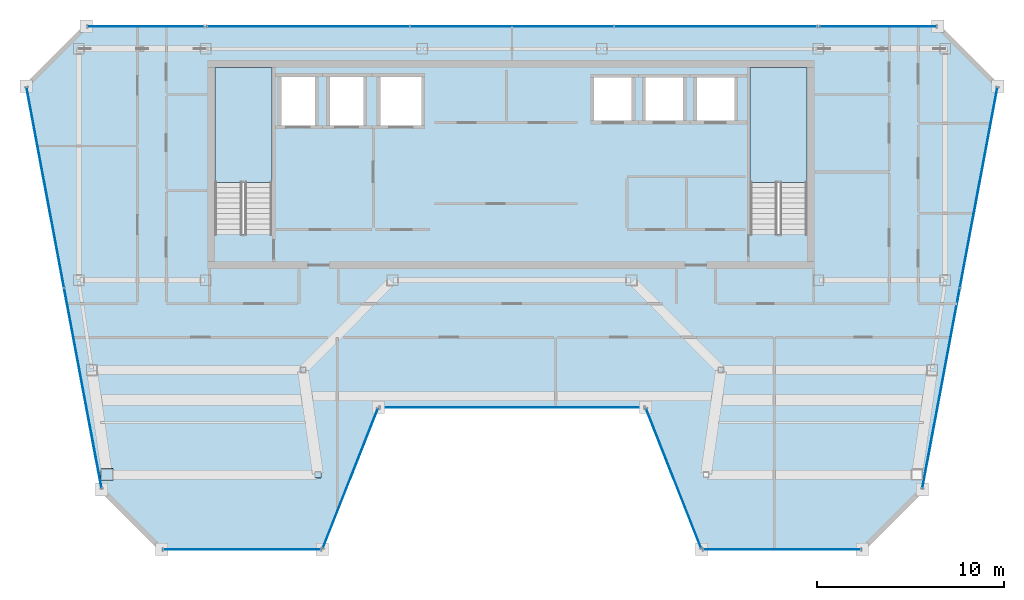
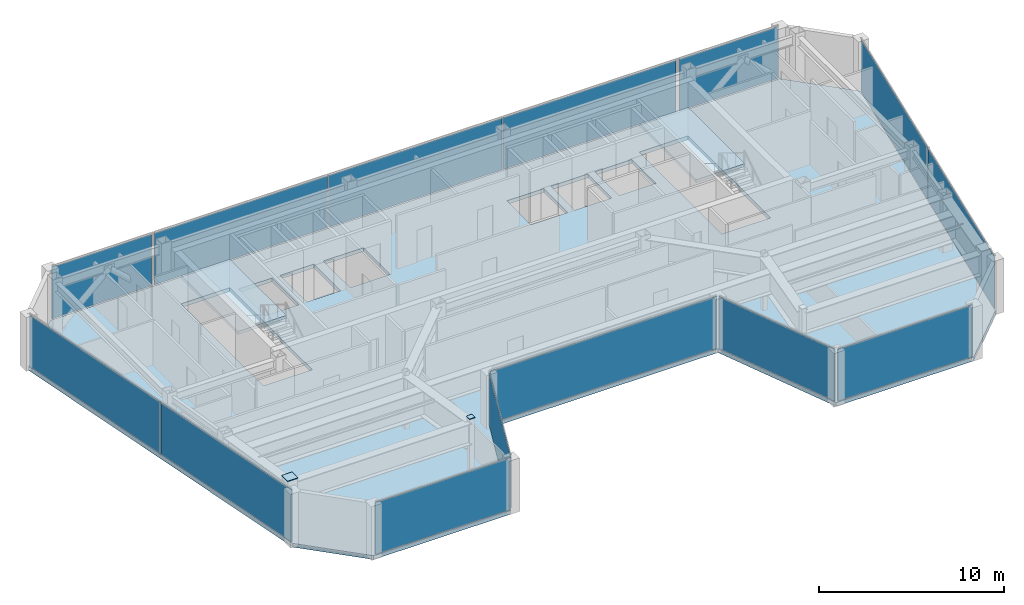
# One storey, part 18 of 23: 16 plates, 3 slabs, 12 elements without a shape of their own.
"""IFC4 building model written with IfcOpenShell, lengths in metres."""

import ifcopenshell
import ifcopenshell.guid

model = None  # the IFC model being written
_history = None  # IfcOwnerHistory: only IFC2X3 demands one
_inside = {}  # id of a spatial element -> (the spatial element, [elements in it])
_under = {}  # id of a project, library or spatial element -> (it, [spatial elements below it])
_declared = {}  # id of a project -> (the project, [libraries it declares])
_typed = {}  # id of a type object -> (the type object, [elements of that type])
_made_of = {}  # id of a material, layer set ... -> (it, [elements and type objects made of it])


def new_model(schema):
    """Start an empty IFC model of exactly this schema.

    Asked for "IFC4X3", IfcOpenShell would pick the latest addendum, in which some entities
    have other attributes; the version numbers below select the first issue.
    IFC2X3 requires an IfcOwnerHistory on every rooted entity: one is made here for all.
    """
    global model, _history
    if schema == "IFC4X3":
        model = ifcopenshell.file(schema_version=(4, 3, 0, 0))
    else:
        model = ifcopenshell.file(schema=schema)
    _inside.clear()
    _under.clear()
    _declared.clear()
    _typed.clear()
    _made_of.clear()
    _history = None
    if model.schema == "IFC2X3":
        org = make("IfcOrganization", Name="unknown")
        user = make(
            "IfcPersonAndOrganization",
            ThePerson=make("IfcPerson", FamilyName="unknown"),
            TheOrganization=org,
        )
        app = make(
            "IfcApplication",
            ApplicationDeveloper=org,
            Version="unknown",
            ApplicationFullName="unknown",
            ApplicationIdentifier="unknown",
        )
        _history = make(
            "IfcOwnerHistory",
            OwningUser=user,
            OwningApplication=app,
            ChangeAction="ADDED",
            CreationDate=0,
        )
    return model


def make(cls, **values):
    """One entity of the class cls with the attributes given. An attribute that is None is left unset."""
    return model.create_entity(
        cls, **{name: value for name, value in values.items() if value is not None}
    )


def rooted(cls, **values):
    """An entity with a GlobalId (a new one), such as an element, a storey or a relation."""
    return make(cls, GlobalId=ifcopenshell.guid.new(), OwnerHistory=_history, **values)


def si_unit(unit_type, name, prefix=None):
    """IfcSIUnit, for example si_unit("LENGTHUNIT", "METRE", prefix="MILLI")."""
    return make("IfcSIUnit", UnitType=unit_type, Prefix=prefix, Name=name)


def assignment(units):
    """IfcUnitAssignment: the units of a project."""
    return None if units is None else make("IfcUnitAssignment", Units=units)


def point(xyz):
    """IfcCartesianPoint."""
    return None if xyz is None else make("IfcCartesianPoint", Coordinates=xyz)


def direction(xyz):
    """IfcDirection."""
    return None if xyz is None else make("IfcDirection", DirectionRatios=xyz)


def frame(location, z_axis=None, x_axis=None):
    """IfcAxis2Placement3D, a coordinate frame: its origin and axes. An axis left out is left unset."""
    return make(
        "IfcAxis2Placement3D",
        Location=point(location),
        Axis=direction(z_axis),
        RefDirection=direction(x_axis),
    )


def frame_2d(location, x_axis=None):
    """IfcAxis2Placement2D, a coordinate frame in the plane: its origin and x axis."""
    return make(
        "IfcAxis2Placement2D", Location=point(location), RefDirection=direction(x_axis)
    )


def origin():
    """The frame at (0, 0, 0) with its axes left unset."""
    return frame((0.0, 0.0, 0.0))


def origin_2d():
    """The frame at (0, 0) in the plane with its x axis left unset."""
    return frame_2d((0.0, 0.0))


def place(relative_to, where):
    """IfcLocalPlacement: puts the frame where relative to a parent placement (None: the world)."""
    return make(
        "IfcLocalPlacement", PlacementRelTo=relative_to, RelativePlacement=where
    )


def context(
    kind, dimensions, precision=None, world=None, true_north=None, identifier=None
):
    """IfcGeometricRepresentationContext, for example the 3D "Model" context."""
    return make(
        "IfcGeometricRepresentationContext",
        ContextIdentifier=identifier,
        ContextType=kind,
        CoordinateSpaceDimension=dimensions,
        Precision=precision,
        WorldCoordinateSystem=world,
        TrueNorth=true_north,
    )


def subcontext(parent, identifier, kind, view, scale=None):
    """IfcGeometricRepresentationSubContext, for example "Body" below "Model"."""
    return make(
        "IfcGeometricRepresentationSubContext",
        ContextIdentifier=identifier,
        ContextType=kind,
        ParentContext=parent,
        TargetScale=scale,
        TargetView=view,
    )


def project(units=None, contexts=None):
    """IfcProject with its units and contexts."""
    return rooted(
        "IfcProject",
        Name="project",
        RepresentationContexts=contexts,
        UnitsInContext=assignment(units),
    )


def spatial(cls, under=None, at=None, **own):
    """A site, building, storey or space (cls), placed at a placement, below another one or the project."""
    s = rooted(cls, ObjectPlacement=at, **own)
    if under is not None:
        _under.setdefault(under.id(), (under, []))[1].append(s)
    return s


def polyline(points):
    """IfcPolyline through the points."""
    return make("IfcPolyline", Points=[point(p) for p in points])


def profile(cls, at=None, kind="AREA", **sizes):
    """A parametric profile (cls). Its sizes go by their IFC names, for example OverallWidth=200.0."""
    return make(cls, ProfileType=kind, Position=at, **sizes)


def rectangle(**sizes):
    """IfcRectangleProfileDef."""
    return profile("IfcRectangleProfileDef", **sizes)


def outline(outer, holes=None, kind="AREA"):
    """IfcArbitraryClosedProfileDef: a profile drawn as a closed curve; with holes, ...WithVoids."""
    if holes is None:
        return make("IfcArbitraryClosedProfileDef", ProfileType=kind, OuterCurve=outer)
    return make(
        "IfcArbitraryProfileDefWithVoids",
        ProfileType=kind,
        OuterCurve=outer,
        InnerCurves=holes,
    )


def extrude(swept, where, along, depth):
    """IfcExtrudedAreaSolid: the profile swept, set in the frame where, extruded along a direction by depth."""
    return make(
        "IfcExtrudedAreaSolid",
        SweptArea=swept,
        Position=where,
        ExtrudedDirection=direction(along),
        Depth=depth,
    )


def shape(context_of_items, identifier, shape_type, items):
    """IfcShapeRepresentation: the items that make up one representation, for example the "Body"."""
    return make(
        "IfcShapeRepresentation",
        ContextOfItems=context_of_items,
        RepresentationIdentifier=identifier,
        RepresentationType=shape_type,
        Items=items,
    )


def material(Name=None, Category=None):
    """IfcMaterial."""
    return make("IfcMaterial", Name=Name, Category=Category)


def layer(
    of_material, thickness, ventilated=None, Name=None, Category=None, Priority=None
):
    """IfcMaterialLayer: one layer of a wall or slab, of a material (None: an air gap)."""
    return make(
        "IfcMaterialLayer",
        Material=of_material,
        LayerThickness=thickness,
        IsVentilated=ventilated,
        Name=Name,
        Category=Category,
        Priority=Priority,
    )


def layer_set(layers, Name=None):
    """IfcMaterialLayerSet."""
    return make("IfcMaterialLayerSet", MaterialLayers=layers, LayerSetName=Name)


def made_of(thing, what):
    """Note that an element or type object is made of a material, layer set ...; save() writes the relation."""
    if what is not None:
        _made_of.setdefault(what.id(), (what, []))[1].append(thing)
    return thing


def type_object(cls, material=None, **own):
    """A type object (cls), such as IfcWallType, which elements share."""
    return made_of(rooted(cls, **own), material)


def element(
    cls,
    number,
    at=None,
    inside=None,
    cuts=None,
    type_object=None,
    material=None,
    context=None,
    identifier="Body",
    shape_type=None,
    held_by="IfcProductDefinitionShape",
    body=None,
    shapes=None,
    **own,
):
    """One element of the class cls, such as IfcWall. Its Tag is "e" and its number.

    at: its placement. inside: the storey or other place that contains it. cuts: it is an
    opening in that element (IfcRelVoidsElement). A single representation is given by context,
    identifier, shape_type and body (its items); several are given by shapes. held_by: the class
    of the entity that holds the representations. save() writes the other relations.
    """
    e = rooted(cls, Tag="e%d" % number, ObjectPlacement=at, **own)
    if body is not None:
        shapes = [shape(context, identifier, shape_type, body)]
    if shapes is not None:
        e.Representation = make(held_by, Representations=shapes)
    if inside is not None:
        _inside.setdefault(inside.id(), (inside, []))[1].append(e)
    if cuts is not None:
        rooted(
            "IfcRelVoidsElement", RelatingBuildingElement=cuts, RelatedOpeningElement=e
        )
    if type_object is not None:
        _typed.setdefault(type_object.id(), (type_object, []))[1].append(e)
    return made_of(e, material)


def aggregate(whole, parts):
    """IfcRelAggregates: a whole, such as a stair, and the parts it consists of."""
    return rooted("IfcRelAggregates", RelatingObject=whole, RelatedObjects=parts)


def save(model, path):
    """Write the relations noted so far, then the file.

    IfcRelAggregates (storeys below a building ...), IfcRelContainedInSpatialStructure (elements
    in a storey), IfcRelDefinesByType, IfcRelAssociatesMaterial and IfcRelDeclares: one each for
    every whole, place, type object, material and project.
    """
    for whole, parts in _under.values():
        aggregate(whole, parts)
    for where, things in _inside.values():
        rooted(
            "IfcRelContainedInSpatialStructure",
            RelatedElements=things,
            RelatingStructure=where,
        )
    for kind, things in _typed.values():
        rooted("IfcRelDefinesByType", RelatedObjects=things, RelatingType=kind)
    for what, things in _made_of.values():
        rooted("IfcRelAssociatesMaterial", RelatedObjects=things, RelatingMaterial=what)
    for by, libraries in _declared.values():
        rooted("IfcRelDeclares", RelatingContext=by, RelatedDefinitions=libraries)
    model.write(path)


model = new_model("IFC4")

# Units and contexts
model_context = context("Model", 3, precision=1e-05, world=origin(), true_north=direction((0.0, 1.0)))
body_context = subcontext(model_context, "Body", "Model", "MODEL_VIEW")
ifc_project = project(units=[si_unit("LENGTHUNIT", "METRE"), si_unit("AREAUNIT", "SQUARE_METRE"), si_unit("VOLUMEUNIT", "CUBIC_METRE"), si_unit("PLANEANGLEUNIT", "RADIAN"), si_unit("MASSUNIT", "GRAM", prefix="KILO")], contexts=[model_context])

# Site, building, storey
site_placement = place(None, origin())
site = spatial("IfcSite", under=ifc_project, at=site_placement, CompositionType="ELEMENT")
building_placement = place(site_placement, origin())
building = spatial("IfcBuilding", under=site, at=building_placement, Name="Saevonmaru Cultural Tower", CompositionType="ELEMENT")
storey_placement = place(building_placement, frame((0.0, 0.0, 291.39990234375)))
storey = spatial("IfcBuildingStorey", under=building, at=storey_placement, Name="L69", CompositionType="ELEMENT", Elevation=291.39990234375)

# Plates
ifc_material_1 = material(Name="Steel HSA600 (600 MPa)", Category="steel")
ifc_layer_1 = layer(ifc_material_1, 0.0400390625, Name="Steel HSA600 (600 MPa)")
ifc_layer_set_1 = layer_set([ifc_layer_1], Name="Steel HSA600 (600 MPa)")
plate_type_1 = type_object("IfcPlateType", Name="PL-CAP-300", PredefinedType="USERDEFINED", material=ifc_layer_set_1)
plate_1_placement = place(storey_placement, frame((19.616943359375, 32.0, 3.795166015625), z_axis=(0.0, 0.0, 1.0), x_axis=(1.0, 0.0, 0.0)))
element("IfcPlate", 1, at=plate_1_placement, inside=storey, type_object=plate_type_1, Name="Column head cap plate TC-WI-Y320 L69", ObjectType="CAP_PLATE", PredefinedType="USERDEFINED", context=body_context, shape_type="SweptSolid", body=[
    extrude(rectangle(XDim=0.340087890625, YDim=0.340087890625, at=origin_2d()), origin(), (0.0, 0.0, 1.0), 0.0400390625),
])
ifc_layer_2 = layer(ifc_material_1, 0.0400390625, Name="Steel HSA600 (600 MPa)")
ifc_layer_set_2 = layer_set([ifc_layer_2], Name="Steel HSA600 (600 MPa)")
plate_type_2 = type_object("IfcPlateType", Name="PL-CAP-600", PredefinedType="USERDEFINED", material=ifc_layer_set_2)
plate_2_placement = place(storey_placement, frame((8.31689453125, 32.0, 3.795166015625), z_axis=(0.0, 0.0, 1.0), x_axis=(1.0, 0.0, 0.0)))
element("IfcPlate", 2, at=plate_2_placement, inside=storey, type_object=plate_type_2, Name="Column head cap plate TC-WO-Y320 L69", ObjectType="CAP_PLATE", PredefinedType="USERDEFINED", context=body_context, shape_type="SweptSolid", body=[
    extrude(rectangle(XDim=0.639892578125, YDim=0.639892578125, at=origin_2d()), origin(), (0.0, 0.0, 1.0), 0.0400390625),
])

# Curtain wall, plate
ifc_material_2 = material(Name="Satin Bronze Anodised Aluminium", Category="aluminium")
curtain_wall_type = type_object("IfcCurtainWallType", Name="CW-TYP-B", PredefinedType="NOTDEFINED", material=ifc_material_2)
curtain_wall_1_placement = place(storey_placement, origin())
curtain_wall_1 = element("IfcCurtainWall", 3, at=curtain_wall_1_placement, inside=storey, type_object=curtain_wall_type, Name="L69 Unitised Curtain Wall E2", PredefinedType="NOTDEFINED")
ifc_material_3 = material(Name="Triple Silver Low-E Insulating Glass", Category="glass")
ifc_layer_3 = layer(ifc_material_3, 0.035888671875, Name="Triple Silver Low-E Insulating Glass")
ifc_layer_set_3 = layer_set([ifc_layer_3], Name="Triple Silver Low-E Insulating Glass")
plate_type_3 = type_object("IfcPlateType", Name="PN-GLZ-IGU", PredefinedType="CURTAIN_PANEL", material=ifc_layer_set_3)
plate_3_placement = place(storey_placement, frame((15.54443359375, 28.0, 0.067138671875), z_axis=(0.0, 0.0, 1.0), x_axis=(1.0, 0.0, 0.0)))
plate_3 = element("IfcPlate", 4, at=plate_3_placement, type_object=plate_type_3, Name="CW-TW-L69-E2 panel 1.1", PredefinedType="CURTAIN_PANEL", context=body_context, shape_type="SweptSolid", body=[
    extrude(rectangle(XDim=8.410888671875, YDim=0.035888671875, at=origin_2d()), origin(), (0.0, 0.0, 1.0), 3.416015625),
])
aggregate(curtain_wall_1, [plate_3])

curtain_wall_2_placement = place(storey_placement, origin())
curtain_wall_2 = element("IfcCurtainWall", 5, at=curtain_wall_2_placement, inside=storey, type_object=curtain_wall_type, Name="L69 Unitised Curtain Wall E3", PredefinedType="NOTDEFINED")
plate_4_placement = place(storey_placement, frame((21.344482421875, 31.800048828125, 0.067138671875), z_axis=(0.0, 0.0, 1.0), x_axis=(0.367172185578, 0.930152990716, 0.0)))
plate_4 = element("IfcPlate", 6, at=plate_4_placement, type_object=plate_type_3, Name="CW-TW-L69-E3 panel 1.1", PredefinedType="CURTAIN_PANEL", context=body_context, shape_type="SweptSolid", body=[
    extrude(rectangle(XDim=7.981689453125, YDim=0.035888671875, at=origin_2d()), origin(), (0.0, 0.0, 1.0), 3.416015625),
])
aggregate(curtain_wall_2, [plate_4])

curtain_wall_3_placement = place(storey_placement, origin())
curtain_wall_3 = element("IfcCurtainWall", 7, at=curtain_wall_3_placement, inside=storey, type_object=curtain_wall_type, Name="L69 Unitised Curtain Wall E4", PredefinedType="NOTDEFINED")
plate_5_placement = place(storey_placement, frame((30.0, 35.60009765625, 0.067138671875), z_axis=(0.0, 0.0, 1.0), x_axis=(1.0, 0.0, 0.0)))
plate_5 = element("IfcPlate", 8, at=plate_5_placement, type_object=plate_type_3, Name="CW-TW-L69-E4 panel 1.1", PredefinedType="CURTAIN_PANEL", context=body_context, shape_type="SweptSolid", body=[
    extrude(rectangle(XDim=14.122314453125, YDim=0.035888671875, at=origin_2d()), origin(), (0.0, 0.0, 1.0), 3.416015625),
])
aggregate(curtain_wall_3, [plate_5])

curtain_wall_4_placement = place(storey_placement, origin())
curtain_wall_4 = element("IfcCurtainWall", 9, at=curtain_wall_4_placement, inside=storey, type_object=curtain_wall_type, Name="L69 Unitised Curtain Wall E5", PredefinedType="NOTDEFINED")
plate_6_placement = place(storey_placement, frame((38.655517578125, 31.800048828125, 0.067138671875), z_axis=(0.0, 0.0, 1.0), x_axis=(0.367172185578, -0.930152990716, 0.0)))
plate_6 = element("IfcPlate", 10, at=plate_6_placement, type_object=plate_type_3, Name="CW-TW-L69-E5 panel 1.1", PredefinedType="CURTAIN_PANEL", context=body_context, shape_type="SweptSolid", body=[
    extrude(rectangle(XDim=7.981689453125, YDim=0.035888671875, at=origin_2d()), origin(), (0.0, 0.0, 1.0), 3.416015625),
])
aggregate(curtain_wall_4, [plate_6])

curtain_wall_5_placement = place(storey_placement, origin())
curtain_wall_5 = element("IfcCurtainWall", 11, at=curtain_wall_5_placement, inside=storey, type_object=curtain_wall_type, Name="L69 Unitised Curtain Wall E6", PredefinedType="NOTDEFINED")
plate_7_placement = place(storey_placement, frame((44.45556640625, 28.0, 0.067138671875), z_axis=(0.0, 0.0, 1.0), x_axis=(1.0, 0.0, 0.0)))
plate_7 = element("IfcPlate", 12, at=plate_7_placement, type_object=plate_type_3, Name="CW-TW-L69-E6 panel 1.1", PredefinedType="CURTAIN_PANEL", context=body_context, shape_type="SweptSolid", body=[
    extrude(rectangle(XDim=8.410888671875, YDim=0.035888671875, at=origin_2d()), origin(), (0.0, 0.0, 1.0), 3.416015625),
])
aggregate(curtain_wall_5, [plate_7])

# Curtain wall, plates
curtain_wall_6_placement = place(storey_placement, origin())
curtain_wall_6 = element("IfcCurtainWall", 13, at=curtain_wall_6_placement, inside=storey, type_object=curtain_wall_type, Name="L69 Unitised Curtain Wall E8", PredefinedType="NOTDEFINED")
plate_8_placement = place(storey_placement, frame((52.97216796875, 36.62939453125, 0.067138671875), z_axis=(0.0, 0.0, 1.0), x_axis=(0.184046528232, 0.982917532373, 0.0)))
plate_8 = element("IfcPlate", 14, at=plate_8_placement, type_object=plate_type_3, Name="CW-TW-L69-E8 panel 1.1", PredefinedType="CURTAIN_PANEL", context=body_context, shape_type="SweptSolid", body=[
    extrude(rectangle(XDim=10.858642578125, YDim=0.035888671875, at=origin_2d()), origin(), (0.0, 0.0, 1.0), 3.416015625),
])
plate_9_placement = place(storey_placement, frame((54.9833984375, 47.37060546875, 0.067138671875), z_axis=(0.0, 0.0, 1.0), x_axis=(0.184046528232, 0.982917532373, 0.0)))
plate_9 = element("IfcPlate", 15, at=plate_9_placement, type_object=plate_type_3, Name="CW-TW-L69-E8 panel 2.1", PredefinedType="CURTAIN_PANEL", context=body_context, shape_type="SweptSolid", body=[
    extrude(rectangle(XDim=10.858642578125, YDim=0.035888671875, at=origin_2d()), origin(), (0.0, 0.0, 1.0), 3.416015625),
])
aggregate(curtain_wall_6, [plate_8, plate_9])

curtain_wall_7_placement = place(storey_placement, origin())
curtain_wall_7 = element("IfcCurtainWall", 16, at=curtain_wall_7_placement, inside=storey, type_object=curtain_wall_type, Name="L69 North Spine Unitised Curtain Wall E10B", PredefinedType="NOTDEFINED")
plate_10_placement = place(storey_placement, frame((40.893310546875, 56.0, 0.067138671875), z_axis=(0.0, 0.0, 1.0), x_axis=(-1.0, 0.0, 0.0)))
plate_10 = element("IfcPlate", 17, at=plate_10_placement, type_object=plate_type_3, Name="CW-TW-L69-E10B panel 1.1", PredefinedType="CURTAIN_PANEL", context=body_context, shape_type="SweptSolid", body=[
    extrude(rectangle(XDim=10.82421875, YDim=0.035888671875, at=origin_2d()), origin(), (0.0, 0.0, 1.0), 3.416015625),
])
plate_11_placement = place(storey_placement, frame((30.0, 56.0, 0.067138671875), z_axis=(0.0, 0.0, 1.0), x_axis=(-1.0, 0.0, 0.0)))
plate_11 = element("IfcPlate", 18, at=plate_11_placement, type_object=plate_type_3, Name="CW-TW-L69-E10B panel 2.1", PredefinedType="CURTAIN_PANEL", context=body_context, shape_type="SweptSolid", body=[
    extrude(rectangle(XDim=10.82421875, YDim=0.035888671875, at=origin_2d()), origin(), (0.0, 0.0, 1.0), 3.416015625),
])
plate_12_placement = place(storey_placement, frame((19.106689453125, 56.0, 0.067138671875), z_axis=(0.0, 0.0, 1.0), x_axis=(-1.0, 0.0, 0.0)))
plate_12 = element("IfcPlate", 19, at=plate_12_placement, type_object=plate_type_3, Name="CW-TW-L69-E10B panel 3.1", PredefinedType="CURTAIN_PANEL", context=body_context, shape_type="SweptSolid", body=[
    extrude(rectangle(XDim=10.82421875, YDim=0.035888671875, at=origin_2d()), origin(), (0.0, 0.0, 1.0), 3.416015625),
])
aggregate(curtain_wall_7, [plate_10, plate_11, plate_12])

curtain_wall_8_placement = place(storey_placement, origin())
curtain_wall_8 = element("IfcCurtainWall", 20, at=curtain_wall_8_placement, inside=storey, type_object=curtain_wall_type, Name="L69 Unitised Curtain Wall E12", PredefinedType="NOTDEFINED")
plate_13_placement = place(storey_placement, frame((5.0166015625, 47.37060546875, 0.067138671875), z_axis=(0.0, 0.0, 1.0), x_axis=(0.184046528232, -0.982917532373, 0.0)))
plate_13 = element("IfcPlate", 21, at=plate_13_placement, type_object=plate_type_3, Name="CW-TW-L69-E12 panel 1.1", PredefinedType="CURTAIN_PANEL", context=body_context, shape_type="SweptSolid", body=[
    extrude(rectangle(XDim=10.858642578125, YDim=0.035888671875, at=origin_2d()), origin(), (0.0, 0.0, 1.0), 3.416015625),
])
plate_14_placement = place(storey_placement, frame((7.02783203125, 36.62939453125, 0.067138671875), z_axis=(0.0, 0.0, 1.0), x_axis=(0.184046528232, -0.982917532373, 0.0)))
plate_14 = element("IfcPlate", 22, at=plate_14_placement, type_object=plate_type_3, Name="CW-TW-L69-E12 panel 2.1", PredefinedType="CURTAIN_PANEL", context=body_context, shape_type="SweptSolid", body=[
    extrude(rectangle(XDim=10.858642578125, YDim=0.035888671875, at=origin_2d()), origin(), (0.0, 0.0, 1.0), 3.416015625),
])
aggregate(curtain_wall_8, [plate_13, plate_14])

# Curtain wall, plate
curtain_wall_9_placement = place(storey_placement, origin())
curtain_wall_9 = element("IfcCurtainWall", 23, at=curtain_wall_9_placement, inside=storey, type_object=curtain_wall_type, Name="L69 East Braced Bay Spandrel Curtain Wall E10A", PredefinedType="NOTDEFINED")
ifc_material_4 = material(Name="Insulated Satin Bronze Aluminium Spandrel Panel", Category="aluminium")
ifc_layer_4 = layer(ifc_material_4, 0.0400390625, Name="Insulated Satin Bronze Aluminium Spandrel Panel")
ifc_layer_set_4 = layer_set([ifc_layer_4], Name="Insulated Satin Bronze Aluminium Spandrel Panel")
plate_type_4 = type_object("IfcPlateType", Name="PN-SPANDREL-BRONZE", PredefinedType="CURTAIN_PANEL", material=ifc_layer_set_4)
plate_15_placement = place(storey_placement, frame((49.60009765625, 56.0, 0.067138671875), z_axis=(0.0, 0.0, 1.0), x_axis=(-1.0, 0.0, 0.0)))
plate_15 = element("IfcPlate", 24, at=plate_15_placement, type_object=plate_type_4, Name="CW-TW-L69-E10A panel 1.1", PredefinedType="CURTAIN_PANEL", context=body_context, shape_type="SweptSolid", body=[
    extrude(rectangle(XDim=6.2109375, YDim=0.035888671875, at=origin_2d()), origin(), (0.0, 0.0, 1.0), 3.416015625),
])
aggregate(curtain_wall_9, [plate_15])

curtain_wall_10_placement = place(storey_placement, origin())
curtain_wall_10 = element("IfcCurtainWall", 25, at=curtain_wall_10_placement, inside=storey, type_object=curtain_wall_type, Name="L69 West Braced Bay Spandrel Curtain Wall E10C", PredefinedType="NOTDEFINED")
plate_16_placement = place(storey_placement, frame((10.39990234375, 56.0, 0.067138671875), z_axis=(0.0, 0.0, 1.0), x_axis=(-1.0, 0.0, 0.0)))
plate_16 = element("IfcPlate", 26, at=plate_16_placement, type_object=plate_type_4, Name="CW-TW-L69-E10C panel 1.1", PredefinedType="CURTAIN_PANEL", context=body_context, shape_type="SweptSolid", body=[
    extrude(rectangle(XDim=6.2109375, YDim=0.035888671875, at=origin_2d()), origin(), (0.0, 0.0, 1.0), 3.416015625),
])
aggregate(curtain_wall_10, [plate_16])

# Slab
ifc_material_5 = material(Name="Concrete C40/50", Category="concrete")
ifc_layer_5 = layer(ifc_material_5, 0.25, Name="Concrete C40/50")
ifc_layer_set_5 = layer_set([ifc_layer_5], Name="Concrete C40/50")
slab_type_1 = type_object("IfcSlabType", Name="SL-FLR-250", PredefinedType="FLOOR", material=ifc_layer_set_5)
slab_1_placement = place(storey_placement, frame((0.0, 0.0, -0.25)))
element("IfcSlab", 27, at=slab_1_placement, inside=storey, type_object=slab_type_1, Name="L69 Tower Structural Floor Slab", PredefinedType="FLOOR", context=body_context, shape_type="SweptSolid", body=[
    extrude(outline(polyline([(8.04443359375, 31.199951171875), (11.244384765625, 28.0), (19.844482421875, 28.0), (22.844482421875, 35.60009765625), (37.155517578125, 35.60009765625), (40.155517578125, 28.0), (48.755615234375, 28.0), (51.95556640625, 31.199951171875), (56.0, 52.800048828125), (52.800048828125, 56.0), (7.199951171875, 56.0), (4.0, 52.800048828125), (8.04443359375, 31.199951171875)]), holes=[polyline([(45.800048828125, 53.800048828125), (45.800048828125, 44.875), (42.75, 44.875), (42.75, 53.800048828125), (45.800048828125, 53.800048828125)]), polyline([(42.050048828125, 50.800048828125), (39.75, 50.800048828125), (39.75, 53.39990234375), (42.050048828125, 53.39990234375), (42.050048828125, 50.800048828125)]), polyline([(39.300048828125, 50.800048828125), (37.0, 50.800048828125), (37.0, 53.39990234375), (39.300048828125, 53.39990234375), (39.300048828125, 50.800048828125)]), polyline([(36.550048828125, 50.800048828125), (34.25, 50.800048828125), (34.25, 53.39990234375), (36.550048828125, 53.39990234375), (36.550048828125, 50.800048828125)]), polyline([(25.300048828125, 50.550048828125), (22.800048828125, 50.550048828125), (22.800048828125, 53.449951171875), (25.300048828125, 53.449951171875), (25.300048828125, 50.550048828125)]), polyline([(22.199951171875, 50.550048828125), (20.10009765625, 50.550048828125), (20.10009765625, 53.449951171875), (22.199951171875, 53.449951171875), (22.199951171875, 50.550048828125)]), polyline([(19.60009765625, 50.550048828125), (17.5, 50.550048828125), (17.5, 53.449951171875), (19.60009765625, 53.449951171875), (19.60009765625, 50.550048828125)]), polyline([(17.14990234375, 53.800048828125), (17.14990234375, 44.875), (14.10009765625, 44.875), (14.10009765625, 53.800048828125), (17.14990234375, 53.800048828125)])]), origin(), (0.0, 0.0, 1.0), 0.25),
])

# Stair, slab
stair_type = type_object("IfcStairType", Name="STR-DOGLEG-RC", PredefinedType="HALF_TURN_STAIR", material=ifc_material_5)
stair_1_placement = place(storey_placement, origin())
stair_1 = element("IfcStair", 28, at=stair_1_placement, inside=storey, type_object=stair_type, Name="L69 Protected exit stair ST-1", PredefinedType="HALF_TURN_STAIR")
ifc_layer_6 = layer(ifc_material_5, 0.199951171875, Name="Concrete C40/50")
ifc_layer_set_6 = layer_set([ifc_layer_6], Name="Concrete C40/50")
slab_type_2 = type_object("IfcSlabType", Name="SL-STAIR-LANDING", PredefinedType="LANDING", material=ifc_layer_set_6)
slab_2_placement = place(storey_placement, frame((0.0, 0.0, 1.7001953125)))
slab_2 = element("IfcSlab", 29, at=slab_2_placement, type_object=slab_type_2, Name="ST-1-L69 landing 1", PredefinedType="LANDING", context=body_context, shape_type="SweptSolid", body=[
    extrude(outline(polyline([(17.14990234375, 47.64990234375), (17.14990234375, 53.800048828125), (14.10009765625, 53.800048828125), (14.10009765625, 47.64990234375), (17.14990234375, 47.64990234375)])), origin(), (0.0, 0.0, 1.0), 0.199951171875),
])
aggregate(stair_1, [slab_2])

stair_2_placement = place(storey_placement, origin())
stair_2 = element("IfcStair", 30, at=stair_2_placement, inside=storey, type_object=stair_type, Name="L69 Protected exit stair ST-2", PredefinedType="HALF_TURN_STAIR")
slab_3_placement = place(storey_placement, frame((0.0, 0.0, 1.7001953125)))
slab_3 = element("IfcSlab", 31, at=slab_3_placement, type_object=slab_type_2, Name="ST-2-L69 landing 1", PredefinedType="LANDING", context=body_context, shape_type="SweptSolid", body=[
    extrude(outline(polyline([(45.800048828125, 47.64990234375), (45.800048828125, 53.800048828125), (42.75, 53.800048828125), (42.75, 47.64990234375), (45.800048828125, 47.64990234375)])), origin(), (0.0, 0.0, 1.0), 0.199951171875),
])
aggregate(stair_2, [slab_3])

save(model, "model.ifc")
